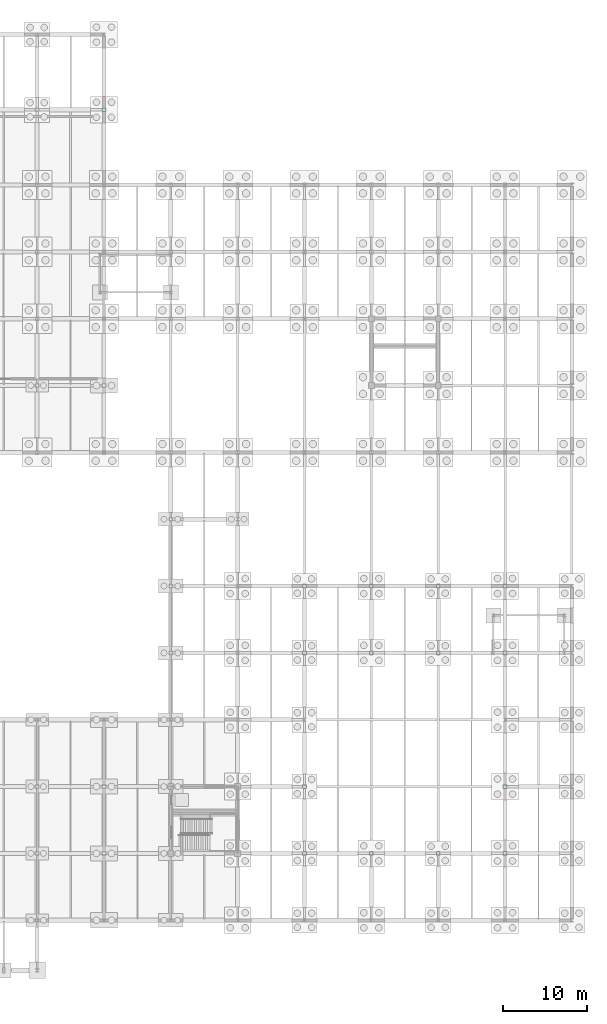
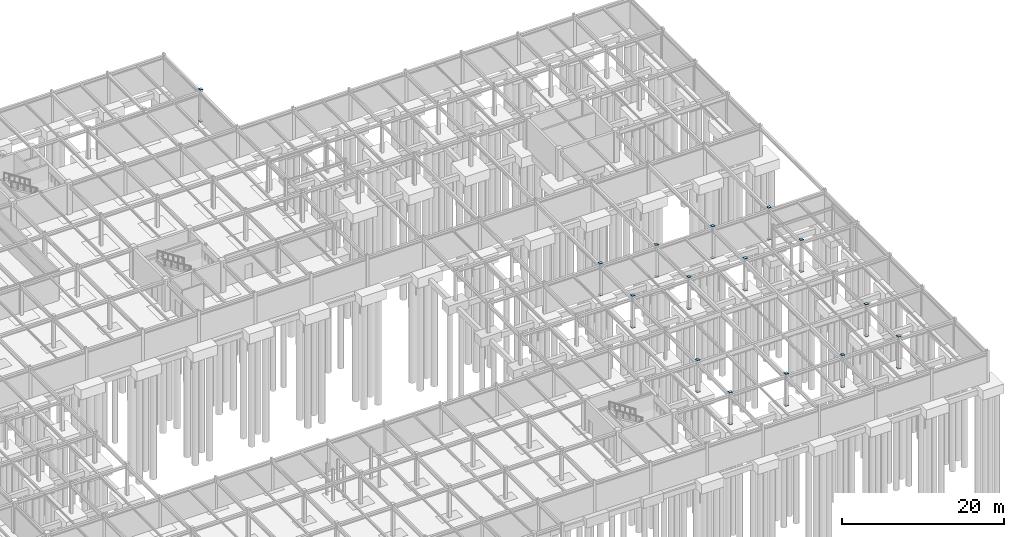
# One storey, part 59 of 72: 30 plates.
"""IFC4 building model written with IfcOpenShell, lengths in metres."""

from ifc_helpers import new_model, si_unit, direction, frame, origin, origin_2d, place, context, subcontext, project, spatial, rectangle, extrude, material, layer, layer_set, type_object, element, save


model = new_model("IFC4")

# Units and contexts
model_context = context("Model", 3, precision=1e-05, world=origin(), true_north=direction((0.0, 1.0)))
body_context = subcontext(model_context, "Body", "Model", "MODEL_VIEW")
ifc_project = project(units=[si_unit("LENGTHUNIT", "METRE"), si_unit("AREAUNIT", "SQUARE_METRE"), si_unit("VOLUMEUNIT", "CUBIC_METRE"), si_unit("PLANEANGLEUNIT", "RADIAN"), si_unit("MASSUNIT", "GRAM", prefix="KILO")], contexts=[model_context])

# Site, building, storey
site_placement = place(None, origin())
site = spatial("IfcSite", under=ifc_project, at=site_placement, CompositionType="ELEMENT")
building_placement = place(site_placement, origin())
building = spatial("IfcBuilding", under=site, at=building_placement, Name="Zhaolan Boulevard Law Courts", CompositionType="ELEMENT")
storey_placement = place(building_placement, frame((0.0, 0.0, -4.800048828125)))
storey = spatial("IfcBuildingStorey", under=building, at=storey_placement, Name="B1", CompositionType="ELEMENT", Elevation=-4.800048828125)

# Plates
ifc_material = material(Name="Structural steel Q355B", Category="steel")
ifc_layer = layer(ifc_material, 0.02001953125)
ifc_layer_set = layer_set([ifc_layer])
plate_type = type_object("IfcPlateType", Name="END CAP PLATE 20", PredefinedType="SHEET", material=ifc_layer_set)
for number, where, z_axis, x_axis, name in (
    (1, (108.0, 103.0, -0.01806640625), (0.0, 0.0, 1.0), (1.0, 0.0, 0.0), "Hollow Section End-Cap Plate ECP-0647"),
    (2, (108.0, 103.0, 4.798095703125), (0.0, 0.0, 1.0), (1.0, 0.0, 0.0), "Hollow Section End-Cap Plate ECP-0648"),
    (3, (132.0, 14.0, -0.01806640625), (0.0, 0.0, 1.0), (1.0, 0.0, 0.0), "Hollow Section End-Cap Plate ECP-0655"),
    (4, (132.0, 14.0, 4.798095703125), (0.0, 0.0, 1.0), (1.0, 0.0, 0.0), "Hollow Section End-Cap Plate ECP-0656"),
    (5, (132.0, 22.0, -0.01806640625), (0.0, 0.0, 1.0), (1.0, 0.0, 0.0), "Hollow Section End-Cap Plate ECP-0657"),
    (6, (132.0, 22.0, 4.798095703125), (0.0, 0.0, 1.0), (1.0, 0.0, 0.0), "Hollow Section End-Cap Plate ECP-0658"),
    (7, (132.0, 38.0, -0.01806640625), (0.0, 0.0, 1.0), (1.0, 0.0, 0.0), "Hollow Section End-Cap Plate ECP-0659"),
    (8, (132.0, 38.0, 4.798095703125), (0.0, 0.0, 1.0), (1.0, 0.0, 0.0), "Hollow Section End-Cap Plate ECP-0660"),
    (9, (132.0, 46.0, -0.01806640625), (0.0, 0.0, 1.0), (1.0, 0.0, 0.0), "Hollow Section End-Cap Plate ECP-0661"),
    (10, (132.0, 46.0, 4.798095703125), (0.0, 0.0, 1.0), (1.0, 0.0, 0.0), "Hollow Section End-Cap Plate ECP-0662"),
    (11, (140.0, 14.0, -0.01806640625), (0.0, 0.0, 1.0), (1.0, 0.0, 0.0), "Hollow Section End-Cap Plate ECP-0663"),
    (12, (140.0, 14.0, 4.798095703125), (0.0, 0.0, 1.0), (1.0, 0.0, 0.0), "Hollow Section End-Cap Plate ECP-0664"),
    (13, (140.0, 38.0, -0.01806640625), (0.0, 0.0, 1.0), (1.0, 0.0, 0.0), "Hollow Section End-Cap Plate ECP-0665"),
    (14, (140.0, 38.0, 4.798095703125), (0.0, 0.0, 1.0), (1.0, 0.0, 0.0), "Hollow Section End-Cap Plate ECP-0666"),
    (15, (140.0, 46.0, -0.01806640625), (0.0, 0.0, 1.0), (1.0, 0.0, 0.0), "Hollow Section End-Cap Plate ECP-0667"),
    (16, (140.0, 46.0, 4.798095703125), (0.0, 0.0, 1.0), (1.0, 0.0, 0.0), "Hollow Section End-Cap Plate ECP-0668"),
    (17, (148.0, 14.0, -0.01806640625), (0.0, 0.0, 1.0), (1.0, 0.0, 0.0), "Hollow Section End-Cap Plate ECP-0669"),
    (18, (148.0, 14.0, 4.798095703125), (0.0, 0.0, 1.0), (1.0, 0.0, 0.0), "Hollow Section End-Cap Plate ECP-0670"),
    (19, (148.0, 38.0, -0.01806640625), (0.0, 0.0, 1.0), (1.0, 0.0, 0.0), "Hollow Section End-Cap Plate ECP-0671"),
    (20, (148.0, 38.0, 4.798095703125), (0.0, 0.0, 1.0), (1.0, 0.0, 0.0), "Hollow Section End-Cap Plate ECP-0672"),
    (21, (148.0, 46.0, -0.01806640625), (0.0, 0.0, 1.0), (1.0, 0.0, 0.0), "Hollow Section End-Cap Plate ECP-0673"),
    (22, (148.0, 46.0, 4.798095703125), (0.0, 0.0, 1.0), (1.0, 0.0, 0.0), "Hollow Section End-Cap Plate ECP-0674"),
    (23, (156.0, 14.0, -0.01806640625), (0.0, 0.0, 1.0), (1.0, 0.0, 0.0), "Hollow Section End-Cap Plate ECP-0675"),
    (24, (156.0, 14.0, 4.798095703125), (0.0, 0.0, 1.0), (1.0, 0.0, 0.0), "Hollow Section End-Cap Plate ECP-0676"),
    (25, (156.0, 22.0, -0.01806640625), (0.0, 0.0, 1.0), (1.0, 0.0, 0.0), "Hollow Section End-Cap Plate ECP-0677"),
    (26, (156.0, 22.0, 4.798095703125), (0.0, 0.0, 1.0), (1.0, 0.0, 0.0), "Hollow Section End-Cap Plate ECP-0678"),
    (27, (156.0, 38.0, -0.01806640625), (0.0, 0.0, 1.0), (1.0, 0.0, 0.0), "Hollow Section End-Cap Plate ECP-0679"),
    (28, (156.0, 38.0, 4.798095703125), (0.0, 0.0, 1.0), (1.0, 0.0, 0.0), "Hollow Section End-Cap Plate ECP-0680"),
    (29, (156.0, 46.0, -0.01806640625), (0.0, 0.0, 1.0), (1.0, 0.0, 0.0), "Hollow Section End-Cap Plate ECP-0681"),
    (30, (156.0, 46.0, 4.798095703125), (0.0, 0.0, 1.0), (1.0, 0.0, 0.0), "Hollow Section End-Cap Plate ECP-0682"),
):
    element("IfcPlate", number, at=place(storey_placement, frame(where, z_axis=z_axis, x_axis=x_axis)), inside=storey, type_object=plate_type, Name=name, PredefinedType="SHEET", context=body_context, shape_type="SweptSolid", body=[
        extrude(rectangle(XDim=0.429931640625, YDim=0.429931640625, at=origin_2d()), origin(), (0.0, 0.0, 1.0), 0.02001953125),
    ])

save(model, "model.ifc")
